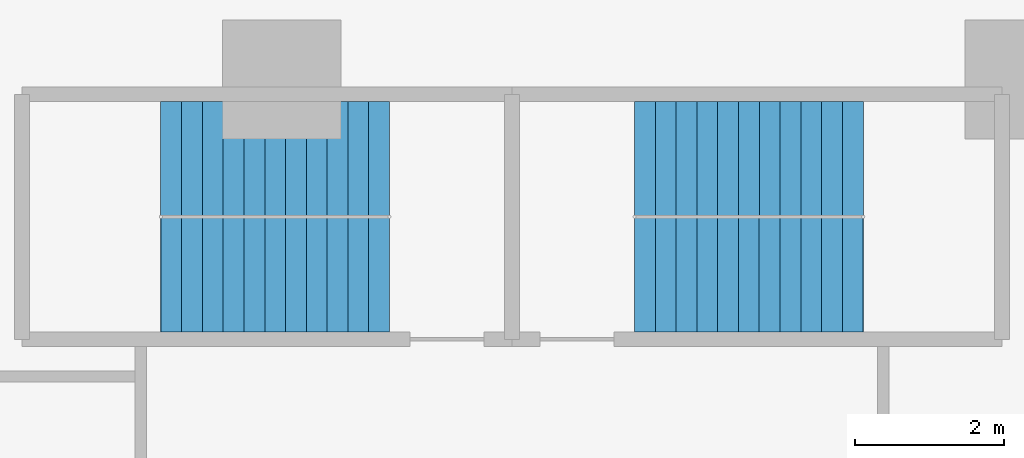
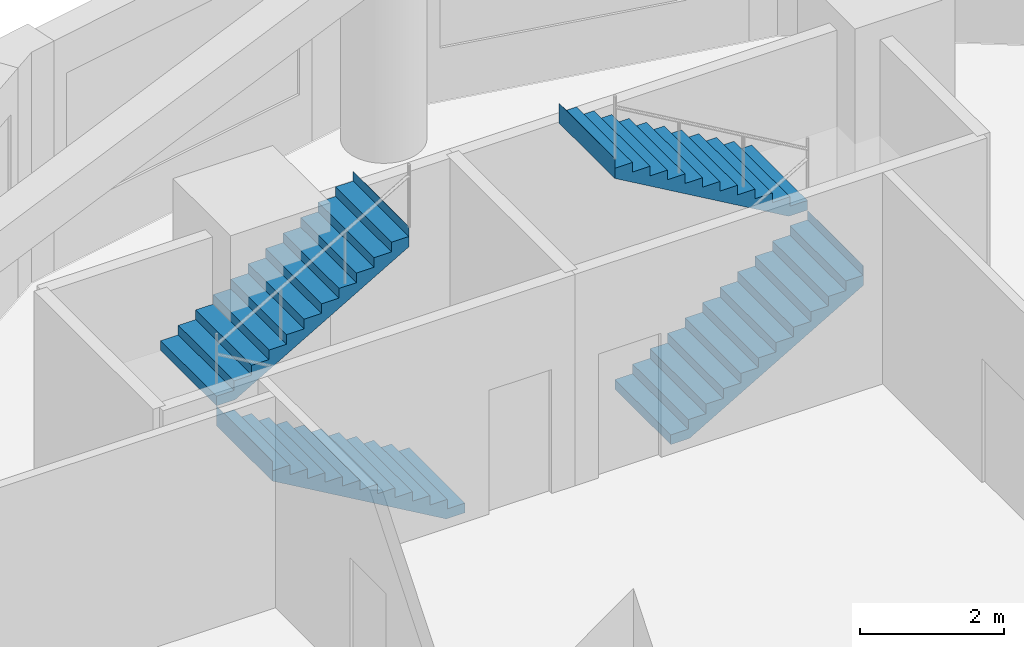
# One storey, part 9 of 11: 4 stair flights, 2 elements without a shape of their own.
"""IFC4 building model written with IfcOpenShell, lengths in metres."""

from ifc_helpers import new_model, si_unit, direction, frame, origin, place, context, subcontext, project, spatial, polyline, outline, extrude, material, type_object, element, aggregate, save


model = new_model("IFC4")

# Units and contexts
model_context = context("Model", 3, precision=1e-05, world=origin(), true_north=direction((0.0, 1.0)))
body_context = subcontext(model_context, "Body", "Model", "MODEL_VIEW")
ifc_project = project(units=[si_unit("LENGTHUNIT", "METRE"), si_unit("AREAUNIT", "SQUARE_METRE"), si_unit("VOLUMEUNIT", "CUBIC_METRE"), si_unit("PLANEANGLEUNIT", "RADIAN"), si_unit("MASSUNIT", "GRAM", prefix="KILO")], contexts=[model_context])

# Site, building, storey
site_placement = place(None, origin())
site = spatial("IfcSite", under=ifc_project, at=site_placement, CompositionType="ELEMENT")
building_placement = place(site_placement, origin())
building = spatial("IfcBuilding", under=site, at=building_placement, Name="Qaws Garden Tower", CompositionType="ELEMENT")
storey_placement = place(building_placement, frame((0.0, 0.0, 86.10009765625)))
storey = spatial("IfcBuildingStorey", under=building, at=storey_placement, Name="L21", CompositionType="ELEMENT", Elevation=86.10009765625)

# Stair, stair flights
ifc_material_1 = material(Name="Concrete C40", Category="concrete")
stair_type = type_object("IfcStairType", Name="Exit stair 1350", PredefinedType="HALF_TURN_STAIR", material=ifc_material_1)
placement = place(storey_placement, origin())
stair_1 = element("IfcStair", 1, at=placement, inside=storey, type_object=stair_type, Name="Stair 6", PredefinedType="HALF_TURN_STAIR")
ifc_material_2 = material(Name="Concrete C40", Category="concrete")
stair_flight_type = type_object("IfcStairFlightType", Name="Stair flight 1350", PredefinedType="STRAIGHT", material=ifc_material_2)
stair_flight_1_placement = place(storey_placement, frame((11.449951171875, 67.375, 0.0), z_axis=(0.0, 0.0, 1.0), x_axis=(-1.0, 0.0, 0.0)))
stair_flight_1 = element("IfcStairFlight", 2, at=stair_flight_1_placement, type_object=stair_flight_type, Name="ST6 flight 1", NumberOfRisers=12, NumberOfTreads=11, PredefinedType="STRAIGHT", RiserHeight=0.1625, TreadLength=0.28, context=body_context, shape_type="SweptSolid", body=[
    extrude(outline(polyline([(-0.0029296875, 0.0), (-0.0029296875, 0.16259765625), (0.0, 0.16259765625), (0.280029296875, 0.16259765625), (0.280029296875, 0.324951171875), (0.56005859375, 0.324951171875), (0.56005859375, 0.487548828125), (0.840087890625, 0.487548828125), (0.840087890625, 0.64990234375), (1.1201171875, 0.64990234375), (1.1201171875, 0.8125), (1.39990234375, 0.8125), (1.39990234375, 0.97509765625), (1.679931640625, 0.97509765625), (1.679931640625, 1.137451171875), (1.9599609375, 1.137451171875), (1.9599609375, 1.300048828125), (2.239990234375, 1.300048828125), (2.239990234375, 1.46240234375), (2.52001953125, 1.46240234375), (2.52001953125, 1.625), (2.800048828125, 1.625), (2.800048828125, 1.78759765625), (3.080078125, 1.78759765625), (3.080078125, 1.949951171875), (3.0830078125, 1.949951171875), (3.0830078125, 1.6142578125), (3.080078125, 1.6142578125), (0.298583984375, 0.0), (-0.0029296875, 0.0)])), frame((0.0, 0.77490234375, 0.0), z_axis=(0.0, -1.0, 0.0), x_axis=(1.0, 0.0, 0.0)), (0.0, 0.0, 1.0), 1.550048828125),
])
stair_flight_2_placement = place(storey_placement, frame((8.3701171875, 68.925048828125, 1.949951171875), z_axis=(0.0, 0.0, 1.0), x_axis=(1.0, 0.0, 0.0)))
stair_flight_2 = element("IfcStairFlight", 3, at=stair_flight_2_placement, type_object=stair_flight_type, Name="ST6 flight 2", NumberOfRisers=12, NumberOfTreads=11, PredefinedType="STRAIGHT", RiserHeight=0.1625, TreadLength=0.28, context=body_context, shape_type="SweptSolid", body=[
    extrude(outline(polyline([(-0.0029296875, 0.0), (-0.0029296875, 0.16259765625), (0.0, 0.16259765625), (0.280029296875, 0.16259765625), (0.280029296875, 0.324951171875), (0.56005859375, 0.324951171875), (0.56005859375, 0.487548828125), (0.840087890625, 0.487548828125), (0.840087890625, 0.64990234375), (1.1201171875, 0.64990234375), (1.1201171875, 0.8125), (1.39990234375, 0.8125), (1.39990234375, 0.97509765625), (1.679931640625, 0.97509765625), (1.679931640625, 1.137451171875), (1.9599609375, 1.137451171875), (1.9599609375, 1.300048828125), (2.239990234375, 1.300048828125), (2.239990234375, 1.46240234375), (2.52001953125, 1.46240234375), (2.52001953125, 1.625), (2.800048828125, 1.625), (2.800048828125, 1.78759765625), (3.080078125, 1.78759765625), (3.080078125, 1.949951171875), (3.0830078125, 1.949951171875), (3.0830078125, 1.6142578125), (3.080078125, 1.6142578125), (0.298583984375, 0.0), (-0.0029296875, 0.0)])), frame((0.0, 0.77490234375, 0.0), z_axis=(0.0, -1.0, 0.0), x_axis=(1.0, 0.0, 0.0)), (0.0, 0.0, 1.0), 1.550048828125),
])
aggregate(stair_1, [stair_flight_1, stair_flight_2])

stair_2 = element("IfcStair", 4, at=placement, inside=storey, type_object=stair_type, Name="Stair 7", PredefinedType="HALF_TURN_STAIR")
stair_flight_3_placement = place(storey_placement, frame((14.75, 67.375, 0.0), z_axis=(0.0, 0.0, 1.0), x_axis=(1.0, 0.0, 0.0)))
stair_flight_3 = element("IfcStairFlight", 5, at=stair_flight_3_placement, type_object=stair_flight_type, Name="ST7 flight 1", NumberOfRisers=12, NumberOfTreads=11, PredefinedType="STRAIGHT", RiserHeight=0.1625, TreadLength=0.28, context=body_context, shape_type="SweptSolid", body=[
    extrude(outline(polyline([(-0.0029296875, 0.0), (-0.0029296875, 0.16259765625), (0.0, 0.16259765625), (0.280029296875, 0.16259765625), (0.280029296875, 0.324951171875), (0.56005859375, 0.324951171875), (0.56005859375, 0.487548828125), (0.840087890625, 0.487548828125), (0.840087890625, 0.64990234375), (1.1201171875, 0.64990234375), (1.1201171875, 0.8125), (1.39990234375, 0.8125), (1.39990234375, 0.97509765625), (1.679931640625, 0.97509765625), (1.679931640625, 1.137451171875), (1.9599609375, 1.137451171875), (1.9599609375, 1.300048828125), (2.239990234375, 1.300048828125), (2.239990234375, 1.46240234375), (2.52001953125, 1.46240234375), (2.52001953125, 1.625), (2.800048828125, 1.625), (2.800048828125, 1.78759765625), (3.080078125, 1.78759765625), (3.080078125, 1.949951171875), (3.0830078125, 1.949951171875), (3.0830078125, 1.6142578125), (3.080078125, 1.6142578125), (0.298583984375, 0.0), (-0.0029296875, 0.0)])), frame((0.0, 0.77490234375, 0.0), z_axis=(0.0, -1.0, 0.0), x_axis=(1.0, 0.0, 0.0)), (0.0, 0.0, 1.0), 1.550048828125),
])
stair_flight_4_placement = place(storey_placement, frame((17.830078125, 68.925048828125, 1.949951171875), z_axis=(0.0, 0.0, 1.0), x_axis=(-1.0, 0.0, 0.0)))
stair_flight_4 = element("IfcStairFlight", 6, at=stair_flight_4_placement, type_object=stair_flight_type, Name="ST7 flight 2", NumberOfRisers=12, NumberOfTreads=11, PredefinedType="STRAIGHT", RiserHeight=0.1625, TreadLength=0.28, context=body_context, shape_type="SweptSolid", body=[
    extrude(outline(polyline([(-0.0029296875, 0.0), (-0.0029296875, 0.16259765625), (0.0, 0.16259765625), (0.280029296875, 0.16259765625), (0.280029296875, 0.324951171875), (0.56005859375, 0.324951171875), (0.56005859375, 0.487548828125), (0.840087890625, 0.487548828125), (0.840087890625, 0.64990234375), (1.1201171875, 0.64990234375), (1.1201171875, 0.8125), (1.39990234375, 0.8125), (1.39990234375, 0.97509765625), (1.679931640625, 0.97509765625), (1.679931640625, 1.137451171875), (1.9599609375, 1.137451171875), (1.9599609375, 1.300048828125), (2.239990234375, 1.300048828125), (2.239990234375, 1.46240234375), (2.52001953125, 1.46240234375), (2.52001953125, 1.625), (2.800048828125, 1.625), (2.800048828125, 1.78759765625), (3.080078125, 1.78759765625), (3.080078125, 1.949951171875), (3.0830078125, 1.949951171875), (3.0830078125, 1.6142578125), (3.080078125, 1.6142578125), (0.298583984375, 0.0), (-0.0029296875, 0.0)])), frame((0.0, 0.77490234375, 0.0), z_axis=(0.0, -1.0, 0.0), x_axis=(1.0, 0.0, 0.0)), (0.0, 0.0, 1.0), 1.550048828125),
])
aggregate(stair_2, [stair_flight_3, stair_flight_4])

save(model, "model.ifc")
